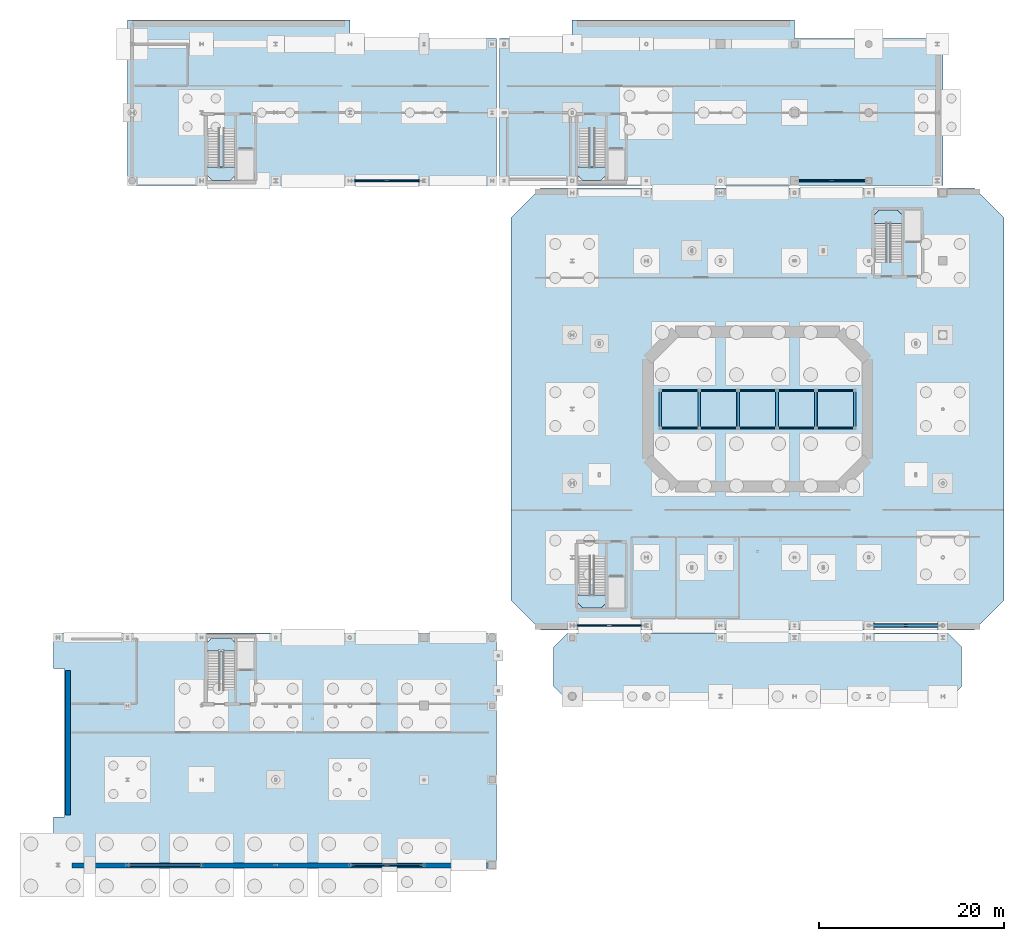
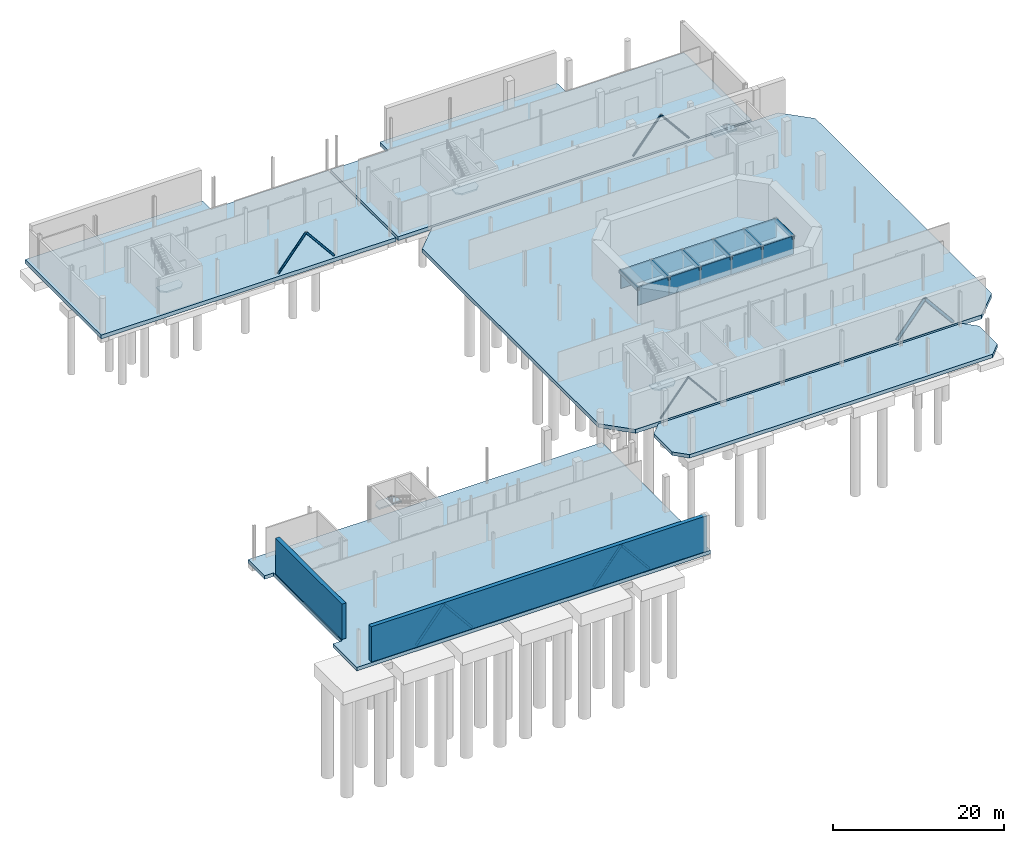
# One storey, part 19 of 33: 15 plates, 12 members, 10 slabs, 6 beams, 2 walls, 5 elements without a shape of their own.
"""IFC4 building model written with IfcOpenShell, lengths in metres."""

import ifcopenshell
import ifcopenshell.guid

model = None  # the IFC model being written
_history = None  # IfcOwnerHistory: only IFC2X3 demands one
_inside = {}  # id of a spatial element -> (the spatial element, [elements in it])
_under = {}  # id of a project, library or spatial element -> (it, [spatial elements below it])
_declared = {}  # id of a project -> (the project, [libraries it declares])
_typed = {}  # id of a type object -> (the type object, [elements of that type])
_made_of = {}  # id of a material, layer set ... -> (it, [elements and type objects made of it])


def new_model(schema):
    """Start an empty IFC model of exactly this schema.

    Asked for "IFC4X3", IfcOpenShell would pick the latest addendum, in which some entities
    have other attributes; the version numbers below select the first issue.
    IFC2X3 requires an IfcOwnerHistory on every rooted entity: one is made here for all.
    """
    global model, _history
    if schema == "IFC4X3":
        model = ifcopenshell.file(schema_version=(4, 3, 0, 0))
    else:
        model = ifcopenshell.file(schema=schema)
    _inside.clear()
    _under.clear()
    _declared.clear()
    _typed.clear()
    _made_of.clear()
    _history = None
    if model.schema == "IFC2X3":
        org = make("IfcOrganization", Name="unknown")
        user = make(
            "IfcPersonAndOrganization",
            ThePerson=make("IfcPerson", FamilyName="unknown"),
            TheOrganization=org,
        )
        app = make(
            "IfcApplication",
            ApplicationDeveloper=org,
            Version="unknown",
            ApplicationFullName="unknown",
            ApplicationIdentifier="unknown",
        )
        _history = make(
            "IfcOwnerHistory",
            OwningUser=user,
            OwningApplication=app,
            ChangeAction="ADDED",
            CreationDate=0,
        )
    return model


def make(cls, **values):
    """One entity of the class cls with the attributes given. An attribute that is None is left unset."""
    return model.create_entity(
        cls, **{name: value for name, value in values.items() if value is not None}
    )


def rooted(cls, **values):
    """An entity with a GlobalId (a new one), such as an element, a storey or a relation."""
    return make(cls, GlobalId=ifcopenshell.guid.new(), OwnerHistory=_history, **values)


def si_unit(unit_type, name, prefix=None):
    """IfcSIUnit, for example si_unit("LENGTHUNIT", "METRE", prefix="MILLI")."""
    return make("IfcSIUnit", UnitType=unit_type, Prefix=prefix, Name=name)


def assignment(units):
    """IfcUnitAssignment: the units of a project."""
    return None if units is None else make("IfcUnitAssignment", Units=units)


def point(xyz):
    """IfcCartesianPoint."""
    return None if xyz is None else make("IfcCartesianPoint", Coordinates=xyz)


def direction(xyz):
    """IfcDirection."""
    return None if xyz is None else make("IfcDirection", DirectionRatios=xyz)


def frame(location, z_axis=None, x_axis=None):
    """IfcAxis2Placement3D, a coordinate frame: its origin and axes. An axis left out is left unset."""
    return make(
        "IfcAxis2Placement3D",
        Location=point(location),
        Axis=direction(z_axis),
        RefDirection=direction(x_axis),
    )


def frame_2d(location, x_axis=None):
    """IfcAxis2Placement2D, a coordinate frame in the plane: its origin and x axis."""
    return make(
        "IfcAxis2Placement2D", Location=point(location), RefDirection=direction(x_axis)
    )


def origin():
    """The frame at (0, 0, 0) with its axes left unset."""
    return frame((0.0, 0.0, 0.0))


def origin_2d():
    """The frame at (0, 0) in the plane with its x axis left unset."""
    return frame_2d((0.0, 0.0))


def place(relative_to, where):
    """IfcLocalPlacement: puts the frame where relative to a parent placement (None: the world)."""
    return make(
        "IfcLocalPlacement", PlacementRelTo=relative_to, RelativePlacement=where
    )


def context(
    kind, dimensions, precision=None, world=None, true_north=None, identifier=None
):
    """IfcGeometricRepresentationContext, for example the 3D "Model" context."""
    return make(
        "IfcGeometricRepresentationContext",
        ContextIdentifier=identifier,
        ContextType=kind,
        CoordinateSpaceDimension=dimensions,
        Precision=precision,
        WorldCoordinateSystem=world,
        TrueNorth=true_north,
    )


def subcontext(parent, identifier, kind, view, scale=None):
    """IfcGeometricRepresentationSubContext, for example "Body" below "Model"."""
    return make(
        "IfcGeometricRepresentationSubContext",
        ContextIdentifier=identifier,
        ContextType=kind,
        ParentContext=parent,
        TargetScale=scale,
        TargetView=view,
    )


def project(units=None, contexts=None):
    """IfcProject with its units and contexts."""
    return rooted(
        "IfcProject",
        Name="project",
        RepresentationContexts=contexts,
        UnitsInContext=assignment(units),
    )


def spatial(cls, under=None, at=None, **own):
    """A site, building, storey or space (cls), placed at a placement, below another one or the project."""
    s = rooted(cls, ObjectPlacement=at, **own)
    if under is not None:
        _under.setdefault(under.id(), (under, []))[1].append(s)
    return s


def polyline(points):
    """IfcPolyline through the points."""
    return make("IfcPolyline", Points=[point(p) for p in points])


def profile(cls, at=None, kind="AREA", **sizes):
    """A parametric profile (cls). Its sizes go by their IFC names, for example OverallWidth=200.0."""
    return make(cls, ProfileType=kind, Position=at, **sizes)


def rectangle(**sizes):
    """IfcRectangleProfileDef."""
    return profile("IfcRectangleProfileDef", **sizes)


def hollow_rectangle(**sizes):
    """IfcRectangleHollowProfileDef."""
    return profile("IfcRectangleHollowProfileDef", **sizes)


def hollow_circle(**sizes):
    """IfcCircleHollowProfileDef."""
    return profile("IfcCircleHollowProfileDef", **sizes)


def outline(outer, holes=None, kind="AREA"):
    """IfcArbitraryClosedProfileDef: a profile drawn as a closed curve; with holes, ...WithVoids."""
    if holes is None:
        return make("IfcArbitraryClosedProfileDef", ProfileType=kind, OuterCurve=outer)
    return make(
        "IfcArbitraryProfileDefWithVoids",
        ProfileType=kind,
        OuterCurve=outer,
        InnerCurves=holes,
    )


def extrude(swept, where, along, depth):
    """IfcExtrudedAreaSolid: the profile swept, set in the frame where, extruded along a direction by depth."""
    return make(
        "IfcExtrudedAreaSolid",
        SweptArea=swept,
        Position=where,
        ExtrudedDirection=direction(along),
        Depth=depth,
    )


def shape(context_of_items, identifier, shape_type, items):
    """IfcShapeRepresentation: the items that make up one representation, for example the "Body"."""
    return make(
        "IfcShapeRepresentation",
        ContextOfItems=context_of_items,
        RepresentationIdentifier=identifier,
        RepresentationType=shape_type,
        Items=items,
    )


def material(Name=None, Category=None):
    """IfcMaterial."""
    return make("IfcMaterial", Name=Name, Category=Category)


def layer(
    of_material, thickness, ventilated=None, Name=None, Category=None, Priority=None
):
    """IfcMaterialLayer: one layer of a wall or slab, of a material (None: an air gap)."""
    return make(
        "IfcMaterialLayer",
        Material=of_material,
        LayerThickness=thickness,
        IsVentilated=ventilated,
        Name=Name,
        Category=Category,
        Priority=Priority,
    )


def layer_set(layers, Name=None):
    """IfcMaterialLayerSet."""
    return make("IfcMaterialLayerSet", MaterialLayers=layers, LayerSetName=Name)


def material_profile(
    of_material, cross_section, Name=None, Category=None, Priority=None
):
    """IfcMaterialProfile: a cross section and its material."""
    return make(
        "IfcMaterialProfile",
        Name=Name,
        Material=of_material,
        Profile=cross_section,
        Priority=Priority,
        Category=Category,
    )


def profile_set(profiles, Name=None, composite=None):
    """IfcMaterialProfileSet."""
    return make(
        "IfcMaterialProfileSet",
        Name=Name,
        MaterialProfiles=profiles,
        CompositeProfile=composite,
    )


def made_of(thing, what):
    """Note that an element or type object is made of a material, layer set ...; save() writes the relation."""
    if what is not None:
        _made_of.setdefault(what.id(), (what, []))[1].append(thing)
    return thing


def type_object(cls, material=None, **own):
    """A type object (cls), such as IfcWallType, which elements share."""
    return made_of(rooted(cls, **own), material)


def element(
    cls,
    number,
    at=None,
    inside=None,
    cuts=None,
    type_object=None,
    material=None,
    context=None,
    identifier="Body",
    shape_type=None,
    held_by="IfcProductDefinitionShape",
    body=None,
    shapes=None,
    **own,
):
    """One element of the class cls, such as IfcWall. Its Tag is "e" and its number.

    at: its placement. inside: the storey or other place that contains it. cuts: it is an
    opening in that element (IfcRelVoidsElement). A single representation is given by context,
    identifier, shape_type and body (its items); several are given by shapes. held_by: the class
    of the entity that holds the representations. save() writes the other relations.
    """
    e = rooted(cls, Tag="e%d" % number, ObjectPlacement=at, **own)
    if body is not None:
        shapes = [shape(context, identifier, shape_type, body)]
    if shapes is not None:
        e.Representation = make(held_by, Representations=shapes)
    if inside is not None:
        _inside.setdefault(inside.id(), (inside, []))[1].append(e)
    if cuts is not None:
        rooted(
            "IfcRelVoidsElement", RelatingBuildingElement=cuts, RelatedOpeningElement=e
        )
    if type_object is not None:
        _typed.setdefault(type_object.id(), (type_object, []))[1].append(e)
    return made_of(e, material)


def aggregate(whole, parts):
    """IfcRelAggregates: a whole, such as a stair, and the parts it consists of."""
    return rooted("IfcRelAggregates", RelatingObject=whole, RelatedObjects=parts)


def save(model, path):
    """Write the relations noted so far, then the file.

    IfcRelAggregates (storeys below a building ...), IfcRelContainedInSpatialStructure (elements
    in a storey), IfcRelDefinesByType, IfcRelAssociatesMaterial and IfcRelDeclares: one each for
    every whole, place, type object, material and project.
    """
    for whole, parts in _under.values():
        aggregate(whole, parts)
    for where, things in _inside.values():
        rooted(
            "IfcRelContainedInSpatialStructure",
            RelatedElements=things,
            RelatingStructure=where,
        )
    for kind, things in _typed.values():
        rooted("IfcRelDefinesByType", RelatedObjects=things, RelatingType=kind)
    for what, things in _made_of.values():
        rooted("IfcRelAssociatesMaterial", RelatedObjects=things, RelatingMaterial=what)
    for by, libraries in _declared.values():
        rooted("IfcRelDeclares", RelatingContext=by, RelatedDefinitions=libraries)
    model.write(path)


model = new_model("IFC4")

# Units and contexts
model_context = context("Model", 3, precision=1e-05, world=origin(), true_north=direction((0.0, 1.0)))
body_context = subcontext(model_context, "Body", "Model", "MODEL_VIEW")
ifc_project = project(units=[si_unit("LENGTHUNIT", "METRE"), si_unit("AREAUNIT", "SQUARE_METRE"), si_unit("VOLUMEUNIT", "CUBIC_METRE"), si_unit("PLANEANGLEUNIT", "RADIAN"), si_unit("MASSUNIT", "GRAM", prefix="KILO")], contexts=[model_context])

# Site, building, storey
site_placement = place(None, origin())
site = spatial("IfcSite", under=ifc_project, at=site_placement, CompositionType="ELEMENT")
building_placement = place(site_placement, origin())
building = spatial("IfcBuilding", under=site, at=building_placement, Name="Brisemont Oceanarium", CompositionType="ELEMENT")
storey_placement = place(building_placement, frame((0.0, 0.0, -5.39990234375)))
storey = spatial("IfcBuildingStorey", under=building, at=storey_placement, Name="B01", CompositionType="ELEMENT", Elevation=-5.39990234375)

# Beams
ifc_material_1 = material(Name="Duplex Stainless Steel EN 1.4462", Category="steel")
ifc_material_profile_1 = material_profile(ifc_material_1, hollow_rectangle(XDim=0.300048828125, YDim=0.5, WallThickness=0.01611328125, InnerFilletRadius=0.008056640625, OuterFilletRadius=0.02392578125, at=origin_2d()), Name="DSS-300X500")
ifc_profile_set_1 = profile_set([ifc_material_profile_1], Name="Duplex Stainless Steel EN 1.4462")
beam_type = type_object("IfcBeamType", Name="BM-DSS300X500", PredefinedType="BEAM", material=ifc_profile_set_1)
for number, where, z_axis, x_axis, name in (
    (1, (73.5, 53.89990234375, 2.39990234375), (0.0, 1.0, 0.0), (-1.0, 0.0, 0.0), "Walkthrough tunnel duplex portal rib 1"),
    (2, (77.699951171875, 53.89990234375, 2.39990234375), (0.0, 1.0, 0.0), (-1.0, 0.0, 0.0), "Walkthrough tunnel duplex portal rib 2"),
    (3, (81.89990234375, 53.89990234375, 2.39990234375), (0.0, 1.0, 0.0), (-1.0, 0.0, 0.0), "Walkthrough tunnel duplex portal rib 3"),
    (4, (86.10009765625, 53.89990234375, 2.39990234375), (0.0, 1.0, 0.0), (-1.0, 0.0, 0.0), "Walkthrough tunnel duplex portal rib 4"),
    (5, (90.300048828125, 53.89990234375, 2.39990234375), (0.0, 1.0, 0.0), (-1.0, 0.0, 0.0), "Walkthrough tunnel duplex portal rib 5"),
    (6, (94.5, 53.89990234375, 2.39990234375), (0.0, 1.0, 0.0), (-1.0, 0.0, 0.0), "Walkthrough tunnel duplex portal rib 6"),
):
    element("IfcBeam", number, at=place(storey_placement, frame(where, z_axis=z_axis, x_axis=x_axis)), inside=storey, type_object=beam_type, Name=name, PredefinedType="BEAM", context=body_context, shape_type="SweptSolid", body=[
        extrude(hollow_rectangle(XDim=0.300048828125, YDim=0.5, WallThickness=0.01611328125, InnerFilletRadius=0.008056640625, OuterFilletRadius=0.02392578125, at=origin_2d()), origin(), (0.0, 0.0, 1.0), 4.2001953125),
    ])

# Members
ifc_material_2 = material(Name="Structural Steel ASTM A500 Gr.C", Category="steel")
ifc_material_profile_2 = material_profile(ifc_material_2, hollow_circle(Radius=0.136474609375, WallThickness=0.01171875, at=origin_2d()), Name="HSS10.750X0.500")
ifc_profile_set_2 = profile_set([ifc_material_profile_2], Name="Structural Steel ASTM A500 Gr.C")
member_type_1 = type_object("IfcMemberType", Name="MEM-BR-CHS10", PredefinedType="BRACE", material=ifc_profile_set_2)
for number, where, z_axis, x_axis, name in (
    (7, (40.239990234375, 80.64990234375, 0.02001953125), (0.634538197367, 0.0, 0.772891503435), (0.0, 1.0, 0.0), "V7W B01 perimeter seismic chevron brace W"),
    (8, (47.760009765625, 80.64990234375, 0.02001953125), (-0.634538197367, 0.0, 0.772891503435), (0.0, -1.0, 0.0), "V7W B01 perimeter seismic chevron brace E"),
):
    element("IfcMember", number, at=place(storey_placement, frame(where, z_axis=z_axis, x_axis=x_axis)), inside=storey, type_object=member_type_1, Name=name, PredefinedType="BRACE", context=body_context, shape_type="SweptSolid", body=[
        extrude(hollow_circle(Radius=0.136474609375, WallThickness=0.01171875, at=origin_2d()), origin(), (0.0, 0.0, 1.0), 5.925537109375),
    ])
ifc_material_3 = material(Name="Structural Steel ASTM A500 Gr.C", Category="steel")
ifc_material_profile_3 = material_profile(ifc_material_3, hollow_circle(Radius=0.162109375, WallThickness=0.01171875, at=origin_2d()), Name="HSS12.750X0.500")
ifc_profile_set_3 = profile_set([ifc_material_profile_3], Name="Structural Steel ASTM A500 Gr.C")
member_type_2 = type_object("IfcMemberType", Name="MEM-BR-CHS12", PredefinedType="BRACE", material=ifc_profile_set_3)
for number, where, z_axis, x_axis, name in (
    (9, (40.239990234375, 6.800048828125, 0.02001953125), (0.631235851029, 0.0, 0.775590936239), (0.0, 1.0, 0.0), "V2 B01 perimeter seismic chevron brace W"),
    (10, (47.760009765625, 6.800048828125, 0.02001953125), (-0.631235851029, 0.0, 0.775590936239), (0.0, -1.0, 0.0), "V2 B01 perimeter seismic chevron brace E"),
):
    element("IfcMember", number, at=place(storey_placement, frame(where, z_axis=z_axis, x_axis=x_axis)), inside=storey, type_object=member_type_2, Name=name, PredefinedType="BRACE", context=body_context, shape_type="SweptSolid", body=[
        extrude(hollow_circle(Radius=0.162109375, WallThickness=0.01171875, at=origin_2d()), origin(), (0.0, 0.0, 1.0), 5.95654296875),
    ])
ifc_material_4 = material(Name="Structural Steel ASTM A500 Gr.C", Category="steel")
ifc_material_profile_4 = material_profile(ifc_material_4, hollow_circle(Radius=0.177978515625, WallThickness=0.01171875, at=origin_2d()), Name="HSS14.000X0.500")
ifc_profile_set_4 = profile_set([ifc_material_profile_4], Name="Structural Steel ASTM A500 Gr.C")
member_type_3 = type_object("IfcMemberType", Name="MEM-BR-CHS14", PredefinedType="BRACE", material=ifc_profile_set_4)
for number, where, z_axis, x_axis, name in (
    (11, (16.239990234375, 6.800048828125, 0.02001953125), (0.631235851029, 0.0, 0.775590936239), (0.0, 1.0, 0.0), "V2 B01 perimeter seismic chevron brace W"),
    (12, (23.760009765625, 6.800048828125, 0.02001953125), (-0.631235851029, 0.0, 0.775590936239), (0.0, -1.0, 0.0), "V2 B01 perimeter seismic chevron brace E"),
):
    element("IfcMember", number, at=place(storey_placement, frame(where, z_axis=z_axis, x_axis=x_axis)), inside=storey, type_object=member_type_3, Name=name, PredefinedType="BRACE", context=body_context, shape_type="SweptSolid", body=[
        extrude(hollow_circle(Radius=0.177978515625, WallThickness=0.01171875, at=origin_2d()), origin(), (0.0, 0.0, 1.0), 5.95654296875),
    ])
ifc_material_5 = material(Name="Structural Steel ASTM A500 Gr.C", Category="steel")
ifc_material_profile_5 = material_profile(ifc_material_5, hollow_circle(Radius=0.202880859375, WallThickness=0.01171875, at=origin_2d()), Name="HSS16.000X0.500")
ifc_profile_set_5 = profile_set([ifc_material_profile_5], Name="Structural Steel ASTM A500 Gr.C")
member_type_4 = type_object("IfcMemberType", Name="MEM-BR-CHS16", PredefinedType="BRACE", material=ifc_profile_set_5)
for number, where, z_axis, x_axis, name in (
    (13, (96.239990234375, 32.64990234375, 0.02001953125), (0.634538197367, 0.0, 0.772891503435), (0.0, 1.0, 0.0), "V1 B01 perimeter seismic chevron brace W"),
    (14, (103.760009765625, 32.64990234375, 0.02001953125), (-0.634538197367, 0.0, 0.772891503435), (0.0, -1.0, 0.0), "V1 B01 perimeter seismic chevron brace E"),
):
    element("IfcMember", number, at=place(storey_placement, frame(where, z_axis=z_axis, x_axis=x_axis)), inside=storey, type_object=member_type_4, Name=name, PredefinedType="BRACE", context=body_context, shape_type="SweptSolid", body=[
        extrude(hollow_circle(Radius=0.202880859375, WallThickness=0.01171875, at=origin_2d()), origin(), (0.0, 0.0, 1.0), 5.925537109375),
    ])
ifc_material_6 = material(Name="Structural Steel ASTM A500 Gr.C", Category="steel")
ifc_material_profile_6 = material_profile(ifc_material_6, hollow_circle(Radius=0.083984375, WallThickness=0.00732421875, at=origin_2d()), Name="HSS6.625X0.312")
ifc_profile_set_6 = profile_set([ifc_material_profile_6], Name="Structural Steel ASTM A500 Gr.C")
member_type_5 = type_object("IfcMemberType", Name="MEM-BR-CHS6", PredefinedType="BRACE", material=ifc_profile_set_6)
for number, where, z_axis, x_axis, name in (
    (15, (64.239990234375, 32.64990234375, 0.02001953125), (0.634538197367, 0.0, 0.772891503435), (0.0, 1.0, 0.0), "V1 B01 perimeter seismic chevron brace W"),
    (16, (71.760009765625, 32.64990234375, 0.02001953125), (-0.634538197367, 0.0, 0.772891503435), (0.0, -1.0, 0.0), "V1 B01 perimeter seismic chevron brace E"),
):
    element("IfcMember", number, at=place(storey_placement, frame(where, z_axis=z_axis, x_axis=x_axis)), inside=storey, type_object=member_type_5, Name=name, PredefinedType="BRACE", context=body_context, shape_type="SweptSolid", body=[
        extrude(hollow_circle(Radius=0.083984375, WallThickness=0.00732421875, at=origin_2d()), origin(), (0.0, 0.0, 1.0), 5.925537109375),
    ])
ifc_material_7 = material(Name="Structural Steel ASTM A500 Gr.C", Category="steel")
ifc_material_profile_7 = material_profile(ifc_material_7, hollow_circle(Radius=0.109619140625, WallThickness=0.0087890625, at=origin_2d()), Name="HSS8.625X0.375")
ifc_profile_set_7 = profile_set([ifc_material_profile_7], Name="Structural Steel ASTM A500 Gr.C")
member_type_6 = type_object("IfcMemberType", Name="MEM-BR-CHS8", PredefinedType="BRACE", material=ifc_profile_set_7)
for number, where, z_axis, x_axis, name in (
    (17, (88.239990234375, 80.64990234375, 0.02001953125), (0.634538197367, 0.0, 0.772891503435), (0.0, 1.0, 0.0), "V7E B01 perimeter seismic chevron brace W"),
    (18, (95.760009765625, 80.64990234375, 0.02001953125), (-0.634538197367, 0.0, 0.772891503435), (0.0, -1.0, 0.0), "V7E B01 perimeter seismic chevron brace E"),
):
    element("IfcMember", number, at=place(storey_placement, frame(where, z_axis=z_axis, x_axis=x_axis)), inside=storey, type_object=member_type_6, Name=name, PredefinedType="BRACE", context=body_context, shape_type="SweptSolid", body=[
        extrude(hollow_circle(Radius=0.109619140625, WallThickness=0.0087890625, at=origin_2d()), origin(), (0.0, 0.0, 1.0), 5.925537109375),
    ])

# Plates
ifc_material_8 = material(Name="Cast Polymethyl Methacrylate PMMA")
ifc_layer_1 = layer(ifc_material_8, 0.125)
ifc_layer_set_1 = layer_set([ifc_layer_1], Name="Cast Polymethyl Methacrylate PMMA")
plate_type_1 = type_object("IfcPlateType", Name="PLT-TUN-SIDE", PredefinedType="USERDEFINED", material=ifc_layer_set_1)
for number, where, z_axis, x_axis, name in (
    (19, (75.60009765625, 54.010009765625, 0.010009765625), (0.0, 0.0, 1.0), (1.0, 0.0, 0.0), "Walkthrough tunnel cast-PMMA side panel 1S"),
    (20, (75.60009765625, 57.989990234375, 0.010009765625), (0.0, 0.0, 1.0), (1.0, 0.0, 0.0), "Walkthrough tunnel cast-PMMA side panel 1N"),
    (21, (79.800048828125, 54.010009765625, 0.010009765625), (0.0, 0.0, 1.0), (1.0, 0.0, 0.0), "Walkthrough tunnel cast-PMMA side panel 2S"),
    (22, (79.800048828125, 57.989990234375, 0.010009765625), (0.0, 0.0, 1.0), (1.0, 0.0, 0.0), "Walkthrough tunnel cast-PMMA side panel 2N"),
    (23, (84.0, 54.010009765625, 0.010009765625), (0.0, 0.0, 1.0), (1.0, 0.0, 0.0), "Walkthrough tunnel cast-PMMA side panel 3S"),
    (24, (84.0, 57.989990234375, 0.010009765625), (0.0, 0.0, 1.0), (1.0, 0.0, 0.0), "Walkthrough tunnel cast-PMMA side panel 3N"),
    (25, (88.199951171875, 54.010009765625, 0.010009765625), (0.0, 0.0, 1.0), (1.0, 0.0, 0.0), "Walkthrough tunnel cast-PMMA side panel 4S"),
    (26, (88.199951171875, 57.989990234375, 0.010009765625), (0.0, 0.0, 1.0), (1.0, 0.0, 0.0), "Walkthrough tunnel cast-PMMA side panel 4N"),
    (27, (92.39990234375, 54.010009765625, 0.010009765625), (0.0, 0.0, 1.0), (1.0, 0.0, 0.0), "Walkthrough tunnel cast-PMMA side panel 5S"),
    (28, (92.39990234375, 57.989990234375, 0.010009765625), (0.0, 0.0, 1.0), (1.0, 0.0, 0.0), "Walkthrough tunnel cast-PMMA side panel 5N"),
):
    element("IfcPlate", number, at=place(storey_placement, frame(where, z_axis=z_axis, x_axis=x_axis)), inside=storey, type_object=plate_type_1, Name=name, ObjectType="TUNNEL_PANEL", PredefinedType="USERDEFINED", context=body_context, shape_type="SweptSolid", body=[
        extrude(rectangle(XDim=4.260009765625, YDim=0.125, at=origin_2d()), origin(), (0.0, 0.0, 1.0), 2.6298828125),
    ])
ifc_material_9 = material(Name="Cast Polymethyl Methacrylate PMMA")
ifc_layer_2 = layer(ifc_material_9, 0.1201171875)
ifc_layer_set_2 = layer_set([ifc_layer_2], Name="Cast Polymethyl Methacrylate PMMA")
plate_type_2 = type_object("IfcPlateType", Name="PLT-TUN-TOP", PredefinedType="USERDEFINED", material=ifc_layer_set_2)
for number, where, z_axis, x_axis, name in (
    (29, (75.60009765625, 56.0, 2.52978515625), (0.0, 0.0, 1.0), (1.0, 0.0, 0.0), "Walkthrough tunnel cast-PMMA crown panel 1"),
    (30, (79.800048828125, 56.0, 2.52978515625), (0.0, 0.0, 1.0), (1.0, 0.0, 0.0), "Walkthrough tunnel cast-PMMA crown panel 2"),
    (31, (84.0, 56.0, 2.52978515625), (0.0, 0.0, 1.0), (1.0, 0.0, 0.0), "Walkthrough tunnel cast-PMMA crown panel 3"),
    (32, (88.199951171875, 56.0, 2.52978515625), (0.0, 0.0, 1.0), (1.0, 0.0, 0.0), "Walkthrough tunnel cast-PMMA crown panel 4"),
    (33, (92.39990234375, 56.0, 2.52978515625), (0.0, 0.0, 1.0), (1.0, 0.0, 0.0), "Walkthrough tunnel cast-PMMA crown panel 5"),
):
    element("IfcPlate", number, at=place(storey_placement, frame(where, z_axis=z_axis, x_axis=x_axis)), inside=storey, type_object=plate_type_2, Name=name, ObjectType="TUNNEL_PANEL", PredefinedType="USERDEFINED", context=body_context, shape_type="SweptSolid", body=[
        extrude(rectangle(XDim=4.260009765625, YDim=4.260009765625, at=origin_2d()), origin(), (0.0, 0.0, 1.0), 0.1201171875),
    ])

# Slabs
ifc_material_10 = material(Name="Concrete C40/50", Category="concrete")
ifc_layer_3 = layer(ifc_material_10, 0.5)
ifc_layer_set_3 = layer_set([ifc_layer_3], Name="Concrete C40/50")
slab_type_1 = type_object("IfcSlabType", Name="SLB-BASE-500", PredefinedType="BASESLAB", material=ifc_layer_set_3)
slab_1_placement = place(storey_placement, frame((0.0, 0.0, -0.5)))
element("IfcSlab", 34, at=slab_1_placement, inside=storey, type_object=slab_type_1, Name="V1P B01 baseslab slab", PredefinedType="BASESLAB", context=body_context, shape_type="SweptSolid", body=[
    extrude(outline(polyline([(63.5, 24.550048828125), (104.5, 24.550048828125), (106.0, 26.050048828125), (106.0, 30.35009765625), (104.5, 31.85009765625), (63.5, 31.85009765625), (62.0, 30.35009765625), (62.0, 26.050048828125), (63.5, 24.550048828125)])), origin(), (0.0, 0.0, 1.0), 0.5),
])
slab_2_placement = place(storey_placement, frame((0.0, 0.0, -0.5)))
element("IfcSlab", 35, at=slab_2_placement, inside=storey, type_object=slab_type_1, Name="V2 B01 baseslab slab", PredefinedType="BASESLAB", context=body_context, shape_type="SweptSolid", body=[
    extrude(outline(polyline([(8.0, 6.39990234375), (55.85009765625, 6.39990234375), (55.85009765625, 31.85009765625), (8.0, 31.85009765625), (8.0, 28.0), (9.199951171875, 28.0), (9.199951171875, 12.0), (8.0, 12.0), (8.0, 6.39990234375)])), origin(), (0.0, 0.0, 1.0), 0.5),
])
ifc_material_11 = material(Name="Concrete C40/50", Category="concrete")
ifc_layer_4 = layer(ifc_material_11, 0.550048828125)
ifc_layer_set_4 = layer_set([ifc_layer_4], Name="Concrete C40/50")
slab_type_2 = type_object("IfcSlabType", Name="SLB-BASE-550", PredefinedType="BASESLAB", material=ifc_layer_set_4)
slab_3_placement = place(storey_placement, frame((0.0, 0.0, -0.550048828125)))
element("IfcSlab", 36, at=slab_3_placement, inside=storey, type_object=slab_type_2, Name="V1 B01 baseslab slab", PredefinedType="BASESLAB", context=body_context, shape_type="SweptSolid", body=[
    extrude(outline(polyline([(60.60009765625, 32.14990234375), (107.39990234375, 32.14990234375), (110.60009765625, 35.35009765625), (110.60009765625, 76.64990234375), (107.39990234375, 79.85009765625), (60.60009765625, 79.85009765625), (57.39990234375, 76.64990234375), (57.39990234375, 35.35009765625), (60.60009765625, 32.14990234375)])), origin(), (0.0, 0.0, 1.0), 0.550048828125),
])
slab_4_placement = place(storey_placement, frame((0.0, 0.0, -0.550048828125)))
element("IfcSlab", 37, at=slab_4_placement, inside=storey, type_object=slab_type_2, Name="V7W B01 baseslab slab", PredefinedType="BASESLAB", context=body_context, shape_type="SweptSolid", body=[
    extrude(outline(polyline([(16.0, 80.14990234375), (55.85009765625, 80.14990234375), (55.85009765625, 96.0), (40.0, 96.0), (40.0, 98.0), (16.0, 98.0), (16.0, 80.14990234375)])), origin(), (0.0, 0.0, 1.0), 0.550048828125),
])
slab_5_placement = place(storey_placement, frame((0.0, 0.0, -0.550048828125)))
element("IfcSlab", 38, at=slab_5_placement, inside=storey, type_object=slab_type_2, Name="V7E B01 baseslab slab", PredefinedType="BASESLAB", context=body_context, shape_type="SweptSolid", body=[
    extrude(outline(polyline([(56.14990234375, 80.14990234375), (104.0, 80.14990234375), (104.0, 96.0), (88.0, 96.0), (88.0, 98.0), (64.0, 98.0), (64.0, 96.0), (56.14990234375, 96.0), (56.14990234375, 80.14990234375)])), origin(), (0.0, 0.0, 1.0), 0.550048828125),
])

# Stair, slab
ifc_material_12 = material(Name="Concrete C40/50", Category="concrete")
stair_type_1 = type_object("IfcStairType", Name="STR-CORE-124-54", PredefinedType="HALF_TURN_STAIR", material=ifc_material_12)
stair_1_placement = place(storey_placement, origin())
stair_1 = element("IfcStair", 39, at=stair_1_placement, inside=storey, type_object=stair_type_1, Name="Exit stair ST-01 B01 to L00", PredefinedType="HALF_TURN_STAIR")
ifc_material_13 = material(Name="Concrete C40/50", Category="concrete")
ifc_layer_5 = layer(ifc_material_13, 0.219970703125)
ifc_layer_set_5 = layer_set([ifc_layer_5], Name="Concrete C40/50")
slab_type_3 = type_object("IfcSlabType", Name="SLB-LANDING-220", PredefinedType="LANDING", material=ifc_layer_set_5)
slab_6_placement = place(storey_placement, frame((0.0, 0.0, 2.47998046875)))
slab_6 = element("IfcSlab", 40, at=slab_6_placement, type_object=slab_type_3, Name="ST-01 B01 half-landing", PredefinedType="LANDING", context=body_context, shape_type="SweptSolid", body=[
    extrude(outline(polyline([(65.1201171875, 34.530029296875), (67.10009765625, 34.530029296875), (67.64990234375, 35.080078125), (67.64990234375, 35.9599609375), (64.570068359375, 35.9599609375), (64.570068359375, 35.080078125), (65.1201171875, 34.530029296875)])), origin(), (0.0, 0.0, 1.0), 0.219970703125),
])
aggregate(stair_1, [slab_6])

stair_2_placement = place(storey_placement, origin())
stair_2 = element("IfcStair", 41, at=stair_2_placement, inside=storey, type_object=stair_type_1, Name="Exit stair ST-02 B01 to L00", PredefinedType="HALF_TURN_STAIR")
slab_7_placement = place(storey_placement, frame((0.0, 0.0, 2.47998046875)))
slab_7 = element("IfcSlab", 42, at=slab_7_placement, type_object=slab_type_3, Name="ST-02 B01 half-landing", PredefinedType="LANDING", context=body_context, shape_type="SweptSolid", body=[
    extrude(outline(polyline([(96.570068359375, 76.0400390625), (99.64990234375, 76.0400390625), (99.64990234375, 76.919921875), (99.10009765625, 77.469970703125), (97.1201171875, 77.469970703125), (96.570068359375, 76.919921875), (96.570068359375, 76.0400390625)])), origin(), (0.0, 0.0, 1.0), 0.219970703125),
])
aggregate(stair_2, [slab_7])

stair_3_placement = place(storey_placement, origin())
stair_3 = element("IfcStair", 43, at=stair_3_placement, inside=storey, type_object=stair_type_1, Name="Exit stair ST-03 B01 to L00", PredefinedType="HALF_TURN_STAIR")
slab_8_placement = place(storey_placement, frame((0.0, 0.0, 2.47998046875)))
slab_8 = element("IfcSlab", 44, at=slab_8_placement, type_object=slab_type_3, Name="ST-03 B01 half-landing", PredefinedType="LANDING", context=body_context, shape_type="SweptSolid", body=[
    extrude(outline(polyline([(24.570068359375, 29.889892578125), (27.64990234375, 29.889892578125), (27.64990234375, 30.77001953125), (27.10009765625, 31.320068359375), (25.1201171875, 31.320068359375), (24.570068359375, 30.77001953125), (24.570068359375, 29.889892578125)])), origin(), (0.0, 0.0, 1.0), 0.219970703125),
])
aggregate(stair_3, [slab_8])

ifc_material_14 = material(Name="Concrete C40/50", Category="concrete")
stair_type_2 = type_object("IfcStairType", Name="STR-CORE-120-54", PredefinedType="HALF_TURN_STAIR", material=ifc_material_14)
stair_4_placement = place(storey_placement, origin())
stair_4 = element("IfcStair", 45, at=stair_4_placement, inside=storey, type_object=stair_type_2, Name="Exit stair ST-08 B01 to L00", PredefinedType="HALF_TURN_STAIR")
slab_9_placement = place(storey_placement, frame((0.0, 0.0, 2.47998046875)))
slab_9 = element("IfcSlab", 46, at=slab_9_placement, type_object=slab_type_3, Name="ST-08 B01 half-landing", PredefinedType="LANDING", context=body_context, shape_type="SweptSolid", body=[
    extrude(outline(polyline([(65.1201171875, 80.679931640625), (67.10009765625, 80.679931640625), (67.64990234375, 81.22998046875), (67.64990234375, 82.110107421875), (64.570068359375, 82.110107421875), (64.570068359375, 81.22998046875), (65.1201171875, 80.679931640625)])), origin(), (0.0, 0.0, 1.0), 0.219970703125),
])
aggregate(stair_4, [slab_9])

stair_5_placement = place(storey_placement, origin())
stair_5 = element("IfcStair", 47, at=stair_5_placement, inside=storey, type_object=stair_type_2, Name="Exit stair ST-09 B01 to L00", PredefinedType="HALF_TURN_STAIR")
slab_10_placement = place(storey_placement, frame((0.0, 0.0, 2.47998046875)))
slab_10 = element("IfcSlab", 48, at=slab_10_placement, type_object=slab_type_3, Name="ST-09 B01 half-landing", PredefinedType="LANDING", context=body_context, shape_type="SweptSolid", body=[
    extrude(outline(polyline([(25.1201171875, 80.679931640625), (27.10009765625, 80.679931640625), (27.64990234375, 81.22998046875), (27.64990234375, 82.110107421875), (24.570068359375, 82.110107421875), (24.570068359375, 81.22998046875), (25.1201171875, 80.679931640625)])), origin(), (0.0, 0.0, 1.0), 0.219970703125),
])
aggregate(stair_5, [slab_10])

# Walls
ifc_material_15 = material(Name="Concrete C40/50", Category="concrete")
ifc_layer_6 = layer(ifc_material_15, 0.550048828125)
ifc_layer_set_6 = layer_set([ifc_layer_6], Name="Concrete C40/50")
wall_type = type_object("IfcWallType", Name="SW-RET-550", PredefinedType="USERDEFINED", material=ifc_layer_set_6)
wall_1_placement = place(storey_placement, frame((10.0, 6.75, 0.0), z_axis=(0.0, 0.0, 1.0), x_axis=(1.0, 0.0, 0.0)))
element("IfcWall", 49, at=wall_1_placement, inside=storey, type_object=wall_type, Name="Hillside RC retaining wall RET-V2-S", ObjectType="RETAINING_WALL", PredefinedType="USERDEFINED", context=body_context, shape_type="SweptSolid", body=[
    extrude(rectangle(XDim=45.39990234375, YDim=0.550048828125, at=frame_2d((22.699951171875, 0.0))), origin(), (0.0, 0.0, 1.0), 5.059814453125),
])
wall_2_placement = place(storey_placement, frame((9.60009765625, 12.199951171875, 0.0), z_axis=(0.0, 0.0, 1.0), x_axis=(0.0, 1.0, 0.0)))
element("IfcWall", 50, at=wall_2_placement, inside=storey, type_object=wall_type, Name="Hillside RC retaining wall RET-V2-W", ObjectType="RETAINING_WALL", PredefinedType="USERDEFINED", context=body_context, shape_type="SweptSolid", body=[
    extrude(rectangle(XDim=15.60009765625, YDim=0.550048828125, at=frame_2d((7.800048828125, 0.0))), origin(), (0.0, 0.0, 1.0), 5.059814453125),
])

save(model, "model.ifc")
